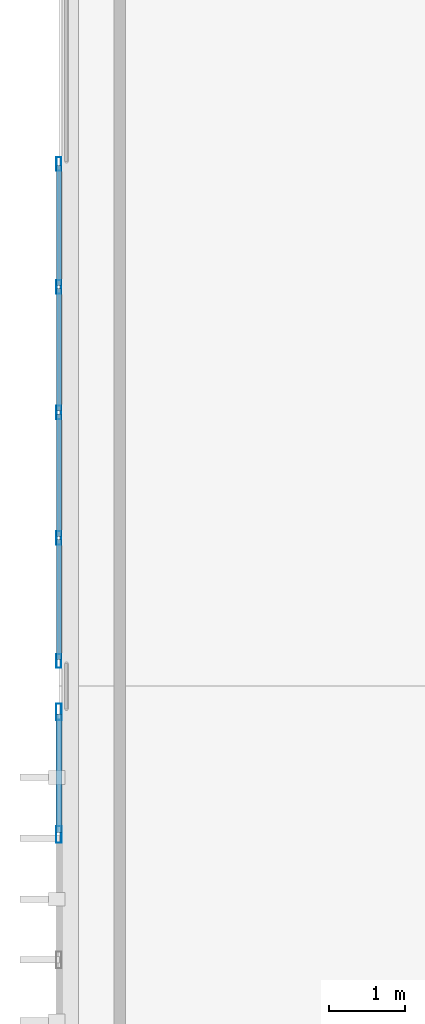
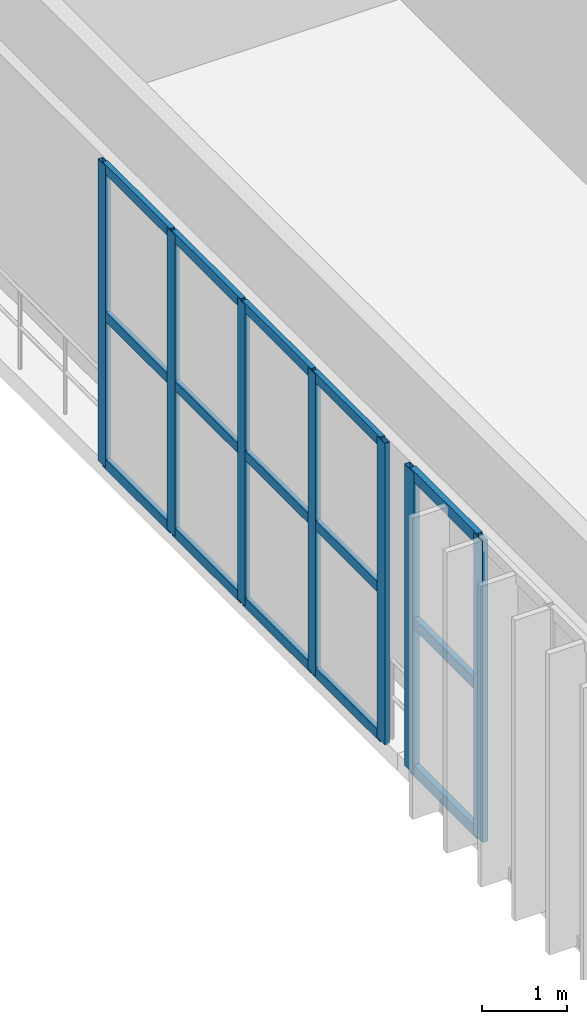
# One storey, part 29 of 64: 22 members, 2 elements without a shape of their own.
"""IFC4 building model written with IfcOpenShell, lengths in metres."""

from ifc_helpers import new_model, si_unit, direction, frame, origin, origin_2d, place, context, subcontext, project, spatial, hollow_rectangle, extrude, material, material_profile, profile_set, type_object, element, aggregate, save


model = new_model("IFC4")

# Units and contexts
model_context = context("Model", 3, precision=1e-05, world=origin(), true_north=direction((0.0, 1.0)))
body_context = subcontext(model_context, "Body", "Model", "MODEL_VIEW")
ifc_project = project(units=[si_unit("LENGTHUNIT", "METRE"), si_unit("AREAUNIT", "SQUARE_METRE"), si_unit("VOLUMEUNIT", "CUBIC_METRE"), si_unit("PLANEANGLEUNIT", "RADIAN"), si_unit("MASSUNIT", "GRAM", prefix="KILO")], contexts=[model_context])

# Site, building, storey
site_placement = place(None, origin())
site = spatial("IfcSite", under=ifc_project, at=site_placement, CompositionType="ELEMENT")
building_placement = place(site_placement, origin())
building = spatial("IfcBuilding", under=site, at=building_placement, Name="Qandorah Velis Arena", CompositionType="ELEMENT")
storey_placement = place(building_placement, frame((0.0, 0.0, 23.0)))
storey = spatial("IfcBuildingStorey", under=building, at=storey_placement, Name="L05", CompositionType="ELEMENT", Elevation=23.0)

# Curtain wall, members
ifc_material_1 = material(Name="Solar-control low-E double glazing", Category="glass")
curtain_wall_type_1 = type_object("IfcCurtainWallType", Name="ARC-CW-SYS06", PredefinedType="USERDEFINED", material=ifc_material_1)
curtain_wall_1_placement = place(storey_placement, origin())
curtain_wall_1 = element("IfcCurtainWall", 1, at=curtain_wall_1_placement, inside=storey, type_object=curtain_wall_type_1, Name="Unitised curtain wall L05-054", ObjectType="UNITISED CURTAIN WALL", PredefinedType="USERDEFINED")
ifc_material_2 = material(Name="Champagne-bronze anodized aluminium 6063-T6", Category="aluminium")
ifc_material_profile_1 = material_profile(ifc_material_2, hollow_rectangle(XDim=0.06494140625, YDim=0.179931640625, WallThickness=0.00341796875, at=origin_2d()), Name="ALU MULLION 65x180")
ifc_profile_set_1 = profile_set([ifc_material_profile_1], Name="Champagne-bronze anodized aluminium 6063-T6")
member_type_1 = type_object("IfcMemberType", Name="ARC-CWM-180", PredefinedType="MULLION", material=ifc_profile_set_1)
member_1_placement = place(storey_placement, frame((0.0, 115.532470703125, -0.014892578125), z_axis=(0.0, 0.0, 1.0), x_axis=(-1.0, 0.0, 0.0)))
member_1 = element("IfcMember", 2, at=member_1_placement, type_object=member_type_1, Name="CW06 mullion 1", PredefinedType="MULLION", context=body_context, shape_type="SweptSolid", body=[
    extrude(hollow_rectangle(XDim=0.06494140625, YDim=0.179931640625, WallThickness=0.00341796875, at=origin_2d()), origin(), (0.0, 0.0, 1.0), 4.309814453125),
])
member_2_placement = place(storey_placement, frame((0.0, 117.14990234375, -0.014892578125), z_axis=(0.0, 0.0, 1.0), x_axis=(-1.0, 0.0, 0.0)))
member_2 = element("IfcMember", 3, at=member_2_placement, type_object=member_type_1, Name="CW06 mullion 2", PredefinedType="MULLION", context=body_context, shape_type="SweptSolid", body=[
    extrude(hollow_rectangle(XDim=0.06494140625, YDim=0.179931640625, WallThickness=0.00341796875, at=origin_2d()), origin(), (0.0, 0.0, 1.0), 4.309814453125),
])
member_3_placement = place(storey_placement, frame((0.0, 118.800048828125, -0.014892578125), z_axis=(0.0, 0.0, 1.0), x_axis=(-1.0, 0.0, 0.0)))
member_3 = element("IfcMember", 4, at=member_3_placement, type_object=member_type_1, Name="CW06 mullion 3", PredefinedType="MULLION", context=body_context, shape_type="SweptSolid", body=[
    extrude(hollow_rectangle(XDim=0.06494140625, YDim=0.179931640625, WallThickness=0.00341796875, at=origin_2d()), origin(), (0.0, 0.0, 1.0), 4.309814453125),
])
member_4_placement = place(storey_placement, frame((0.0, 120.449951171875, -0.014892578125), z_axis=(0.0, 0.0, 1.0), x_axis=(-1.0, 0.0, 0.0)))
member_4 = element("IfcMember", 5, at=member_4_placement, type_object=member_type_1, Name="CW06 mullion 4", PredefinedType="MULLION", context=body_context, shape_type="SweptSolid", body=[
    extrude(hollow_rectangle(XDim=0.06494140625, YDim=0.179931640625, WallThickness=0.00341796875, at=origin_2d()), origin(), (0.0, 0.0, 1.0), 4.309814453125),
])
member_5_placement = place(storey_placement, frame((0.0, 122.0673828125, -0.014892578125), z_axis=(0.0, 0.0, 1.0), x_axis=(-1.0, 0.0, 0.0)))
member_5 = element("IfcMember", 6, at=member_5_placement, type_object=member_type_1, Name="CW06 mullion 5", PredefinedType="MULLION", context=body_context, shape_type="SweptSolid", body=[
    extrude(hollow_rectangle(XDim=0.06494140625, YDim=0.179931640625, WallThickness=0.00341796875, at=origin_2d()), origin(), (0.0, 0.0, 1.0), 4.309814453125),
])

curtain_wall_type_2 = type_object("IfcCurtainWallType", Name="ARC-CW-SYS05", PredefinedType="USERDEFINED", material=ifc_material_1)
curtain_wall_2_placement = place(storey_placement, origin())
curtain_wall_2 = element("IfcCurtainWall", 7, at=curtain_wall_2_placement, inside=storey, type_object=curtain_wall_type_2, Name="Unitised curtain wall L05-053", ObjectType="UNITISED CURTAIN WALL", PredefinedType="USERDEFINED")
ifc_material_profile_2 = material_profile(ifc_material_2, hollow_rectangle(XDim=0.074951171875, YDim=0.219970703125, WallThickness=0.00390625, at=origin_2d()), Name="ALU MULLION 75x220")
ifc_profile_set_2 = profile_set([ifc_material_profile_2], Name="Champagne-bronze anodized aluminium 6063-T6")
member_type_2 = type_object("IfcMemberType", Name="ARC-CWM-220", PredefinedType="MULLION", material=ifc_profile_set_2)
member_6_placement = place(storey_placement, frame((0.0, 113.25, -0.014892578125), z_axis=(0.0, 0.0, 1.0), x_axis=(-1.0, 0.0, 0.0)))
member_6 = element("IfcMember", 8, at=member_6_placement, type_object=member_type_2, Name="CW05 mullion 4", PredefinedType="MULLION", context=body_context, shape_type="SweptSolid", body=[
    extrude(hollow_rectangle(XDim=0.074951171875, YDim=0.219970703125, WallThickness=0.00390625, at=origin_2d()), origin(), (0.0, 0.0, 1.0), 4.309814453125),
])
member_7_placement = place(storey_placement, frame((0.0, 114.862548828125, -0.014892578125), z_axis=(0.0, 0.0, 1.0), x_axis=(-1.0, 0.0, 0.0)))
member_7 = element("IfcMember", 9, at=member_7_placement, type_object=member_type_2, Name="CW05 mullion 5", PredefinedType="MULLION", context=body_context, shape_type="SweptSolid", body=[
    extrude(hollow_rectangle(XDim=0.074951171875, YDim=0.219970703125, WallThickness=0.00390625, at=origin_2d()), origin(), (0.0, 0.0, 1.0), 4.309814453125),
])

# Member
ifc_material_profile_3 = material_profile(ifc_material_2, hollow_rectangle(XDim=0.06494140625, YDim=0.139892578125, WallThickness=0.0029296875, at=origin_2d()), Name="ALU TRANSOM 65x140")
ifc_profile_set_3 = profile_set([ifc_material_profile_3], Name="Champagne-bronze anodized aluminium 6063-T6")
member_type_3 = type_object("IfcMemberType", Name="ARC-CWT-140", PredefinedType="USERDEFINED", material=ifc_profile_set_3)
member_8_placement = place(storey_placement, frame((0.0, 115.552978515625, 0.032470703125), z_axis=(0.0, 1.0, 0.0), x_axis=(-1.0, 0.0, 0.0)))
member_8 = element("IfcMember", 10, at=member_8_placement, type_object=member_type_3, Name="CW06 transom 1.1", ObjectType="TRANSOM", PredefinedType="USERDEFINED", context=body_context, shape_type="SweptSolid", body=[
    extrude(hollow_rectangle(XDim=0.06494140625, YDim=0.139892578125, WallThickness=0.0029296875, at=origin_2d()), origin(), (0.0, 0.0, 1.0), 1.576416015625),
])

member_9_placement = place(storey_placement, frame((0.0, 115.552978515625, 2.139892578125), z_axis=(0.0, 1.0, 0.0), x_axis=(-1.0, 0.0, 0.0)))
member_9 = element("IfcMember", 11, at=member_9_placement, type_object=member_type_3, Name="CW06 transom 1.2", ObjectType="TRANSOM", PredefinedType="USERDEFINED", context=body_context, shape_type="SweptSolid", body=[
    extrude(hollow_rectangle(XDim=0.06494140625, YDim=0.139892578125, WallThickness=0.0029296875, at=origin_2d()), origin(), (0.0, 0.0, 1.0), 1.576416015625),
])

member_10_placement = place(storey_placement, frame((0.0, 115.552978515625, 4.24755859375), z_axis=(0.0, 1.0, 0.0), x_axis=(-1.0, 0.0, 0.0)))
member_10 = element("IfcMember", 12, at=member_10_placement, type_object=member_type_3, Name="CW06 transom 1.3", ObjectType="TRANSOM", PredefinedType="USERDEFINED", context=body_context, shape_type="SweptSolid", body=[
    extrude(hollow_rectangle(XDim=0.06494140625, YDim=0.139892578125, WallThickness=0.0029296875, at=origin_2d()), origin(), (0.0, 0.0, 1.0), 1.576416015625),
])

member_11_placement = place(storey_placement, frame((0.0, 117.17041015625, 0.032470703125), z_axis=(0.0, 1.0, 0.0), x_axis=(-1.0, 0.0, 0.0)))
member_11 = element("IfcMember", 13, at=member_11_placement, type_object=member_type_3, Name="CW06 transom 2.1", ObjectType="TRANSOM", PredefinedType="USERDEFINED", context=body_context, shape_type="SweptSolid", body=[
    extrude(hollow_rectangle(XDim=0.06494140625, YDim=0.139892578125, WallThickness=0.0029296875, at=origin_2d()), origin(), (0.0, 0.0, 1.0), 1.609130859375),
])

member_12_placement = place(storey_placement, frame((0.0, 117.17041015625, 2.139892578125), z_axis=(0.0, 1.0, 0.0), x_axis=(-1.0, 0.0, 0.0)))
member_12 = element("IfcMember", 14, at=member_12_placement, type_object=member_type_3, Name="CW06 transom 2.2", ObjectType="TRANSOM", PredefinedType="USERDEFINED", context=body_context, shape_type="SweptSolid", body=[
    extrude(hollow_rectangle(XDim=0.06494140625, YDim=0.139892578125, WallThickness=0.0029296875, at=origin_2d()), origin(), (0.0, 0.0, 1.0), 1.609130859375),
])

member_13_placement = place(storey_placement, frame((0.0, 117.17041015625, 4.24755859375), z_axis=(0.0, 1.0, 0.0), x_axis=(-1.0, 0.0, 0.0)))
member_13 = element("IfcMember", 15, at=member_13_placement, type_object=member_type_3, Name="CW06 transom 2.3", ObjectType="TRANSOM", PredefinedType="USERDEFINED", context=body_context, shape_type="SweptSolid", body=[
    extrude(hollow_rectangle(XDim=0.06494140625, YDim=0.139892578125, WallThickness=0.0029296875, at=origin_2d()), origin(), (0.0, 0.0, 1.0), 1.609130859375),
])

member_14_placement = place(storey_placement, frame((0.0, 118.820556640625, 0.032470703125), z_axis=(0.0, 1.0, 0.0), x_axis=(-1.0, 0.0, 0.0)))
member_14 = element("IfcMember", 16, at=member_14_placement, type_object=member_type_3, Name="CW06 transom 3.1", ObjectType="TRANSOM", PredefinedType="USERDEFINED", context=body_context, shape_type="SweptSolid", body=[
    extrude(hollow_rectangle(XDim=0.06494140625, YDim=0.139892578125, WallThickness=0.0029296875, at=origin_2d()), origin(), (0.0, 0.0, 1.0), 1.60888671875),
])

member_15_placement = place(storey_placement, frame((0.0, 118.820556640625, 2.139892578125), z_axis=(0.0, 1.0, 0.0), x_axis=(-1.0, 0.0, 0.0)))
member_15 = element("IfcMember", 17, at=member_15_placement, type_object=member_type_3, Name="CW06 transom 3.2", ObjectType="TRANSOM", PredefinedType="USERDEFINED", context=body_context, shape_type="SweptSolid", body=[
    extrude(hollow_rectangle(XDim=0.06494140625, YDim=0.139892578125, WallThickness=0.0029296875, at=origin_2d()), origin(), (0.0, 0.0, 1.0), 1.60888671875),
])

member_16_placement = place(storey_placement, frame((0.0, 118.820556640625, 4.24755859375), z_axis=(0.0, 1.0, 0.0), x_axis=(-1.0, 0.0, 0.0)))
member_16 = element("IfcMember", 18, at=member_16_placement, type_object=member_type_3, Name="CW06 transom 3.3", ObjectType="TRANSOM", PredefinedType="USERDEFINED", context=body_context, shape_type="SweptSolid", body=[
    extrude(hollow_rectangle(XDim=0.06494140625, YDim=0.139892578125, WallThickness=0.0029296875, at=origin_2d()), origin(), (0.0, 0.0, 1.0), 1.60888671875),
])

member_17_placement = place(storey_placement, frame((0.0, 120.470458984375, 0.032470703125), z_axis=(0.0, 1.0, 0.0), x_axis=(-1.0, 0.0, 0.0)))
member_17 = element("IfcMember", 19, at=member_17_placement, type_object=member_type_3, Name="CW06 transom 4.1", ObjectType="TRANSOM", PredefinedType="USERDEFINED", context=body_context, shape_type="SweptSolid", body=[
    extrude(hollow_rectangle(XDim=0.06494140625, YDim=0.139892578125, WallThickness=0.0029296875, at=origin_2d()), origin(), (0.0, 0.0, 1.0), 1.57666015625),
])

member_18_placement = place(storey_placement, frame((0.0, 120.470458984375, 2.139892578125), z_axis=(0.0, 1.0, 0.0), x_axis=(-1.0, 0.0, 0.0)))
member_18 = element("IfcMember", 20, at=member_18_placement, type_object=member_type_3, Name="CW06 transom 4.2", ObjectType="TRANSOM", PredefinedType="USERDEFINED", context=body_context, shape_type="SweptSolid", body=[
    extrude(hollow_rectangle(XDim=0.06494140625, YDim=0.139892578125, WallThickness=0.0029296875, at=origin_2d()), origin(), (0.0, 0.0, 1.0), 1.57666015625),
])

member_19_placement = place(storey_placement, frame((0.0, 120.470458984375, 4.24755859375), z_axis=(0.0, 1.0, 0.0), x_axis=(-1.0, 0.0, 0.0)))
member_19 = element("IfcMember", 21, at=member_19_placement, type_object=member_type_3, Name="CW06 transom 4.3", ObjectType="TRANSOM", PredefinedType="USERDEFINED", context=body_context, shape_type="SweptSolid", body=[
    extrude(hollow_rectangle(XDim=0.06494140625, YDim=0.139892578125, WallThickness=0.0029296875, at=origin_2d()), origin(), (0.0, 0.0, 1.0), 1.57666015625),
])

aggregate(curtain_wall_1, [member_1, member_2, member_3, member_4, member_5, member_8, member_9, member_10, member_11, member_12, member_13, member_14, member_15, member_16, member_17, member_18, member_19])

ifc_material_profile_4 = material_profile(ifc_material_2, hollow_rectangle(XDim=0.074951171875, YDim=0.159912109375, WallThickness=0.00341796875, at=origin_2d()), Name="ALU TRANSOM 75x160")
ifc_profile_set_4 = profile_set([ifc_material_profile_4], Name="Champagne-bronze anodized aluminium 6063-T6")
member_type_4 = type_object("IfcMemberType", Name="ARC-CWT-160", PredefinedType="USERDEFINED", material=ifc_profile_set_4)
member_20_placement = place(storey_placement, frame((0.0, 113.275390625, 0.03759765625), z_axis=(0.0, 1.0, 0.0), x_axis=(-1.0, 0.0, 0.0)))
member_20 = element("IfcMember", 22, at=member_20_placement, type_object=member_type_4, Name="CW05 transom 4.1", ObjectType="TRANSOM", PredefinedType="USERDEFINED", context=body_context, shape_type="SweptSolid", body=[
    extrude(hollow_rectangle(XDim=0.074951171875, YDim=0.159912109375, WallThickness=0.00341796875, at=origin_2d()), origin(), (0.0, 0.0, 1.0), 1.5615234375),
])

member_21_placement = place(storey_placement, frame((0.0, 113.275390625, 2.139892578125), z_axis=(0.0, 1.0, 0.0), x_axis=(-1.0, 0.0, 0.0)))
member_21 = element("IfcMember", 23, at=member_21_placement, type_object=member_type_4, Name="CW05 transom 4.2", ObjectType="TRANSOM", PredefinedType="USERDEFINED", context=body_context, shape_type="SweptSolid", body=[
    extrude(hollow_rectangle(XDim=0.074951171875, YDim=0.159912109375, WallThickness=0.00341796875, at=origin_2d()), origin(), (0.0, 0.0, 1.0), 1.5615234375),
])

member_22_placement = place(storey_placement, frame((0.0, 113.275390625, 4.242431640625), z_axis=(0.0, 1.0, 0.0), x_axis=(-1.0, 0.0, 0.0)))
member_22 = element("IfcMember", 24, at=member_22_placement, type_object=member_type_4, Name="CW05 transom 4.3", ObjectType="TRANSOM", PredefinedType="USERDEFINED", context=body_context, shape_type="SweptSolid", body=[
    extrude(hollow_rectangle(XDim=0.074951171875, YDim=0.159912109375, WallThickness=0.00341796875, at=origin_2d()), origin(), (0.0, 0.0, 1.0), 1.5615234375),
])

aggregate(curtain_wall_2, [member_6, member_7, member_20, member_21, member_22])

save(model, "model.ifc")
